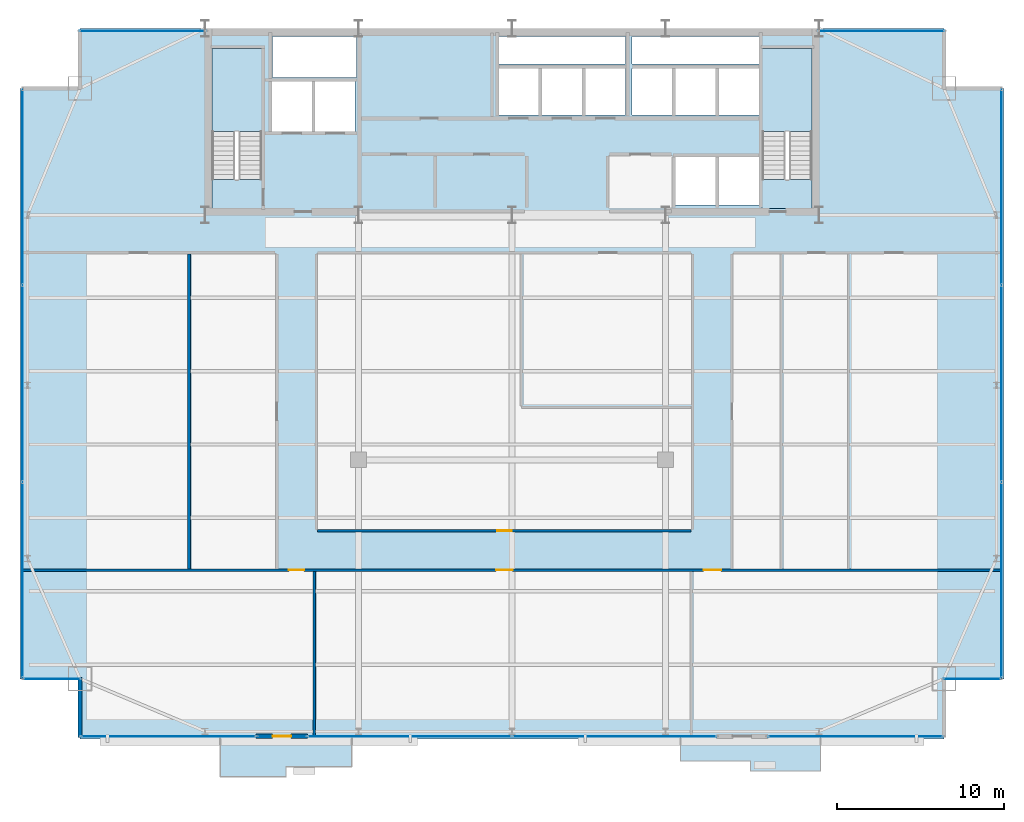
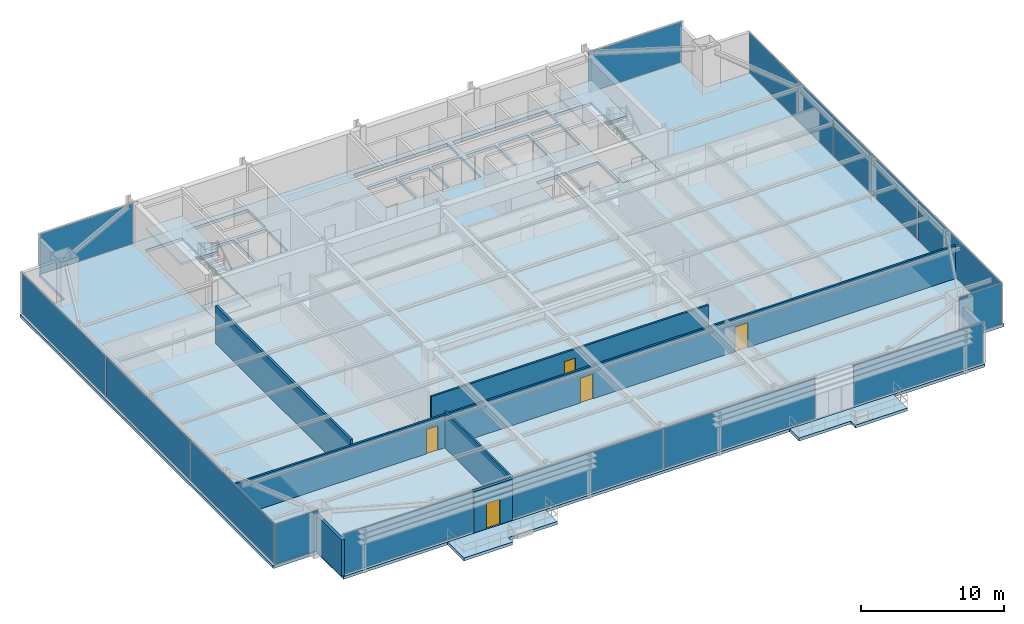
# One storey, part 27 of 32: 14 plates, 7 slabs, 6 walls, 5 doors, 5 openings, 11 elements without a shape of their own.
"""IFC4 building model written with IfcOpenShell, lengths in metres."""

from ifc_helpers import new_model, si_unit, direction, frame, frame_2d, origin, origin_2d, place, context, subcontext, project, spatial, polyline, rectangle, outline, extrude, source, transform, mapped, material, layer, layer_set, type_object, type_shapes, element, fill, aggregate, save


model = new_model("IFC4")

# Units and contexts
model_context = context("Model", 3, precision=1e-05, world=origin(), true_north=direction((0.0, 1.0)))
body_context = subcontext(model_context, "Body", "Model", "MODEL_VIEW")
ifc_project = project(units=[si_unit("LENGTHUNIT", "METRE"), si_unit("AREAUNIT", "SQUARE_METRE"), si_unit("VOLUMEUNIT", "CUBIC_METRE"), si_unit("PLANEANGLEUNIT", "RADIAN"), si_unit("MASSUNIT", "GRAM", prefix="KILO")], contexts=[model_context])

# Site, building, storey
site_placement = place(None, origin())
site = spatial("IfcSite", under=ifc_project, at=site_placement, CompositionType="ELEMENT")
building_placement = place(site_placement, origin())
building = spatial("IfcBuilding", under=site, at=building_placement, Name="Varnel Quay Broadcast Tower", CompositionType="ELEMENT")
storey_placement = place(building_placement, frame((0.0, 0.0, 133.39990234375)))
storey = spatial("IfcBuildingStorey", under=building, at=storey_placement, Name="L32", CompositionType="ELEMENT", Elevation=133.39990234375)

# Slabs
ifc_material_1 = material(Name="Concrete CSA A23.3 C40/50", Category="concrete")
ifc_layer_1 = layer(ifc_material_1, 0.25, Name="Concrete CSA A23.3 C40/50")
ifc_layer_set_1 = layer_set([ifc_layer_1], Name="Concrete CSA A23.3 C40/50")
slab_type_1 = type_object("IfcSlabType", Name="Slab_ExtTerrace250", PredefinedType="FLOOR", material=ifc_layer_set_1)
slab_1_placement = place(storey_placement, frame((0.0, 0.0, -0.25)))
element("IfcSlab", 1, at=slab_1_placement, inside=storey, type_object=slab_type_1, Name="L32 Planted Lobe Terrace Slab 1", PredefinedType="FLOOR", context=body_context, shape_type="SweptSolid", body=[
    extrude(outline(polyline([(16.5, 1.93310546875), (20.449951171875, 1.93310546875), (20.449951171875, 2.532958984375), (24.39990234375, 2.532958984375), (24.39990234375, 4.199951171875), (16.5, 4.199951171875), (16.5, 1.93310546875)])), origin(), (0.0, 0.0, 1.0), 0.25),
])
slab_2_placement = place(storey_placement, frame((0.0, 0.0, -0.25)))
element("IfcSlab", 2, at=slab_2_placement, inside=storey, type_object=slab_type_1, Name="L32 Planted Lobe Terrace Slab 2", PredefinedType="FLOOR", context=body_context, shape_type="SweptSolid", body=[
    extrude(outline(polyline([(44.10009765625, 2.866943359375), (48.300048828125, 2.866943359375), (48.300048828125, 2.26708984375), (52.5, 2.26708984375), (52.5, 4.199951171875), (44.10009765625, 4.199951171875), (44.10009765625, 2.866943359375)])), origin(), (0.0, 0.0, 1.0), 0.25),
])
ifc_material_2 = material(Name="Concrete CSA A23.3 C50/60", Category="concrete")
ifc_layer_2 = layer(ifc_material_2, 0.25, Name="Concrete CSA A23.3 C50/60")
ifc_layer_set_2 = layer_set([ifc_layer_2], Name="Concrete CSA A23.3 C50/60")
slab_type_2 = type_object("IfcSlabType", Name="Slab_Floor250", PredefinedType="FLOOR", material=ifc_layer_set_2)
slab_3_placement = place(storey_placement, frame((0.0, 0.0, -0.25)))
element("IfcSlab", 3, at=slab_3_placement, inside=storey, type_object=slab_type_2, Name="L32 Structural Slab", PredefinedType="FLOOR", context=body_context, shape_type="SweptSolid", body=[
    extrude(outline(polyline([(8.10009765625, 4.199951171875), (59.89990234375, 4.199951171875), (59.89990234375, 7.800048828125), (63.5, 7.800048828125), (63.5, 43.199951171875), (59.89990234375, 43.199951171875), (59.89990234375, 46.800048828125), (8.10009765625, 46.800048828125), (8.10009765625, 43.199951171875), (4.5, 43.199951171875), (4.5, 7.800048828125), (8.10009765625, 7.800048828125), (8.10009765625, 4.199951171875)]), holes=[polyline([(19.0, 36.0), (16.0, 36.0), (16.0, 45.60009765625), (19.0, 45.60009765625), (19.0, 36.0)]), polyline([(19.60009765625, 43.60009765625), (22.0, 43.60009765625), (22.0, 40.60009765625), (19.60009765625, 40.60009765625), (19.60009765625, 43.60009765625)]), polyline([(22.199951171875, 43.60009765625), (24.60009765625, 43.60009765625), (24.60009765625, 40.60009765625), (22.199951171875, 40.60009765625), (22.199951171875, 43.60009765625)]), polyline([(33.199951171875, 44.39990234375), (35.60009765625, 44.39990234375), (35.60009765625, 41.60009765625), (33.199951171875, 41.60009765625), (33.199951171875, 44.39990234375)]), polyline([(35.800048828125, 44.39990234375), (38.199951171875, 44.39990234375), (38.199951171875, 41.60009765625), (35.800048828125, 41.60009765625), (35.800048828125, 44.39990234375)]), polyline([(38.39990234375, 44.39990234375), (40.800048828125, 44.39990234375), (40.800048828125, 41.60009765625), (38.39990234375, 41.60009765625), (38.39990234375, 44.39990234375)]), polyline([(19.64990234375, 46.300048828125), (24.679931640625, 46.300048828125), (24.679931640625, 43.85009765625), (19.64990234375, 43.85009765625), (19.64990234375, 46.300048828125)]), polyline([(33.199951171875, 46.300048828125), (40.800048828125, 46.300048828125), (40.800048828125, 44.64990234375), (33.199951171875, 44.64990234375), (33.199951171875, 46.300048828125)]), polyline([(43.800048828125, 39.10009765625), (46.199951171875, 39.10009765625), (46.199951171875, 36.199951171875), (43.800048828125, 36.199951171875), (43.800048828125, 39.10009765625)]), polyline([(46.39990234375, 39.10009765625), (48.800048828125, 39.10009765625), (48.800048828125, 36.199951171875), (46.39990234375, 36.199951171875), (46.39990234375, 39.10009765625)]), polyline([(49.0, 36.0), (49.0, 45.60009765625), (52.0, 45.60009765625), (52.0, 36.0), (49.0, 36.0)]), polyline([(41.199951171875, 44.39990234375), (43.60009765625, 44.39990234375), (43.60009765625, 41.60009765625), (41.199951171875, 41.60009765625), (41.199951171875, 44.39990234375)]), polyline([(43.800048828125, 44.39990234375), (46.199951171875, 44.39990234375), (46.199951171875, 41.60009765625), (43.800048828125, 41.60009765625), (43.800048828125, 44.39990234375)]), polyline([(46.39990234375, 44.39990234375), (48.800048828125, 44.39990234375), (48.800048828125, 41.60009765625), (46.39990234375, 41.60009765625), (46.39990234375, 44.39990234375)]), polyline([(41.199951171875, 46.300048828125), (48.800048828125, 46.300048828125), (48.800048828125, 44.64990234375), (41.199951171875, 44.64990234375), (41.199951171875, 46.300048828125)])]), origin(), (0.0, 0.0, 1.0), 0.25),
])
ifc_layer_3 = layer(ifc_material_2, 0.25, Name="Concrete CSA A23.3 C50/60")
ifc_layer_set_3 = layer_set([ifc_layer_3], Name="Concrete CSA A23.3 C50/60")
slab_type_3 = type_object("IfcSlabType", Name="Slab_StairFloorLanding250", PredefinedType="FLOOR", material=ifc_layer_set_3)
slab_4_placement = place(storey_placement, frame((0.0, 0.0, -0.25)))
element("IfcSlab", 4, at=slab_4_placement, inside=storey, type_object=slab_type_3, Name="L32 ST-01 Structural Floor Landing Slab", PredefinedType="FLOOR", context=body_context, shape_type="SweptSolid", body=[
    extrude(outline(polyline([(19.0, 36.0), (19.0, 37.75), (16.0, 37.75), (16.0, 36.0), (19.0, 36.0)])), origin(), (0.0, 0.0, 1.0), 0.25),
])
slab_5_placement = place(storey_placement, frame((0.0, 0.0, -0.25)))
element("IfcSlab", 5, at=slab_5_placement, inside=storey, type_object=slab_type_3, Name="L32 ST-02 Structural Floor Landing Slab", PredefinedType="FLOOR", context=body_context, shape_type="SweptSolid", body=[
    extrude(outline(polyline([(52.0, 36.0), (52.0, 37.75), (49.0, 37.75), (49.0, 36.0), (52.0, 36.0)])), origin(), (0.0, 0.0, 1.0), 0.25),
])

# Stair, slab
ifc_material_3 = material(Name="Precast Structural Concrete C40/50", Category="concrete")
stair_type_1 = type_object("IfcStairType", Name="Stair_ST-01", PredefinedType="HALF_TURN_STAIR", material=ifc_material_3)
stair_1_placement = place(storey_placement, origin())
stair_1 = element("IfcStair", 6, at=stair_1_placement, inside=storey, type_object=stair_type_1, Name="L32 West Core Exit Stair 1", PredefinedType="HALF_TURN_STAIR")
ifc_layer_4 = layer(ifc_material_3, 0.199951171875, Name="Precast Structural Concrete C40/50")
ifc_layer_set_4 = layer_set([ifc_layer_4], Name="Precast Structural Concrete C40/50")
slab_type_4 = type_object("IfcSlabType", Name="Slab_StairLanding200", PredefinedType="LANDING", material=ifc_layer_set_4)
slab_6_placement = place(storey_placement, frame((0.0, 0.0, 1.7001953125)))
slab_6 = element("IfcSlab", 7, at=slab_6_placement, type_object=slab_type_4, Name="ST-01 landing 1", PredefinedType="LANDING", context=body_context, shape_type="SweptSolid", body=[
    extrude(outline(polyline([(19.0, 40.60009765625), (19.0, 45.60009765625), (16.0, 45.60009765625), (16.0, 40.60009765625), (19.0, 40.60009765625)])), origin(), (0.0, 0.0, 1.0), 0.199951171875),
])
aggregate(stair_1, [slab_6])

stair_type_2 = type_object("IfcStairType", Name="Stair_ST-02", PredefinedType="HALF_TURN_STAIR", material=ifc_material_3)
stair_2_placement = place(storey_placement, origin())
stair_2 = element("IfcStair", 8, at=stair_2_placement, inside=storey, type_object=stair_type_2, Name="L32 East Core Exit Stair 2", PredefinedType="HALF_TURN_STAIR")
slab_7_placement = place(storey_placement, frame((0.0, 0.0, 1.7001953125)))
slab_7 = element("IfcSlab", 9, at=slab_7_placement, type_object=slab_type_4, Name="ST-02 landing 1", PredefinedType="LANDING", context=body_context, shape_type="SweptSolid", body=[
    extrude(outline(polyline([(52.0, 40.60009765625), (52.0, 45.60009765625), (49.0, 45.60009765625), (49.0, 40.60009765625), (52.0, 40.60009765625)])), origin(), (0.0, 0.0, 1.0), 0.199951171875),
])
aggregate(stair_2, [slab_7])

# Curtain wall, plates
ifc_material_4 = material(Name="Anodised Bronze Aluminium 6063-T6", Category="aluminium")
ifc_layer_5 = layer(ifc_material_4, 0.18994140625, Name="Anodised Bronze Aluminium 6063-T6")
ifc_layer_set_5 = layer_set([ifc_layer_5], Name="Anodised Bronze Aluminium 6063-T6")
curtain_wall_type_1 = type_object("IfcCurtainWallType", Name="CW_LowerTower", PredefinedType="NOTDEFINED", material=ifc_layer_set_5)
curtain_wall_1_placement = place(storey_placement, origin())
curtain_wall_1 = element("IfcCurtainWall", 10, at=curtain_wall_1_placement, inside=storey, type_object=curtain_wall_type_1, Name="L32 West Unitised Curtain Wall", PredefinedType="NOTDEFINED")
ifc_material_5 = material(Name="Insulated Bronze Spandrel Glass", Category="glass")
ifc_layer_6 = layer(ifc_material_5, 0.031982421875, Name="Insulated Bronze Spandrel Glass")
ifc_layer_set_6 = layer_set([ifc_layer_6], Name="Insulated Bronze Spandrel Glass")
plate_type_1 = type_object("IfcPlateType", Name="PanelSp_CWS-02", PredefinedType="CURTAIN_PANEL", material=ifc_layer_set_6)
shared_shape_1 = source(origin(), body_context, "Body", "SweptSolid", [
    extrude(rectangle(XDim=11.695068359375, YDim=0.031982421875, at=origin_2d()), origin(), (0.0, 0.0, 1.0), 3.429931640625),
])
plate_1_placement = place(storey_placement, frame((4.64990234375, 13.717529296875, 0.06005859375), z_axis=(0.0, 0.0, 1.0), x_axis=(0.0, 1.0, 0.0)))
plate_1 = element("IfcPlate", 11, at=plate_1_placement, type_object=plate_type_1, Name="CWS-02 panel 1.1", PredefinedType="CURTAIN_PANEL", context=body_context, shape_type="MappedRepresentation", body=[
    mapped(shared_shape_1, transform((0.0, 0.0, 0.0), x_axis=(1.0, 0.0, 0.0), y_axis=(0.0, 1.0, 0.0), z_axis=(0.0, 0.0, 1.0), scale=1.0)),
])
plate_2_placement = place(storey_placement, frame((4.64990234375, 37.282470703125, 0.06005859375), z_axis=(0.0, 0.0, 1.0), x_axis=(0.0, 1.0, 0.0)))
plate_2 = element("IfcPlate", 12, at=plate_2_placement, type_object=plate_type_1, Name="CWS-02 panel 3.1", PredefinedType="CURTAIN_PANEL", context=body_context, shape_type="MappedRepresentation", body=[
    mapped(shared_shape_1, transform((0.0, 0.0, 0.0), x_axis=(1.0, 0.0, 0.0), y_axis=(0.0, 1.0, 0.0), z_axis=(0.0, 0.0, 1.0), scale=1.0)),
])

curtain_wall_2_placement = place(storey_placement, origin())
curtain_wall_2 = element("IfcCurtainWall", 13, at=curtain_wall_2_placement, inside=storey, type_object=curtain_wall_type_1, Name="L32 East Unitised Curtain Wall", PredefinedType="NOTDEFINED")
plate_3_placement = place(storey_placement, frame((63.35009765625, 13.717529296875, 0.06005859375), z_axis=(0.0, 0.0, 1.0), x_axis=(0.0, 1.0, 0.0)))
plate_3 = element("IfcPlate", 14, at=plate_3_placement, type_object=plate_type_1, Name="CWS-02 panel 1.1", PredefinedType="CURTAIN_PANEL", context=body_context, shape_type="MappedRepresentation", body=[
    mapped(shared_shape_1, transform((0.0, 0.0, 0.0), x_axis=(1.0, 0.0, 0.0), y_axis=(0.0, 1.0, 0.0), z_axis=(0.0, 0.0, 1.0), scale=1.0)),
])
plate_4_placement = place(storey_placement, frame((63.35009765625, 37.282470703125, 0.06005859375), z_axis=(0.0, 0.0, 1.0), x_axis=(0.0, 1.0, 0.0)))
plate_4 = element("IfcPlate", 15, at=plate_4_placement, type_object=plate_type_1, Name="CWS-02 panel 3.1", PredefinedType="CURTAIN_PANEL", context=body_context, shape_type="MappedRepresentation", body=[
    mapped(shared_shape_1, transform((0.0, 0.0, 0.0), x_axis=(1.0, 0.0, 0.0), y_axis=(0.0, 1.0, 0.0), z_axis=(0.0, 0.0, 1.0), scale=1.0)),
])

# Plate
shared_shape_2 = source(origin(), body_context, "Body", "SweptSolid", [
    extrude(rectangle(XDim=11.72998046875, YDim=0.031982421875, at=origin_2d()), origin(), (0.0, 0.0, 1.0), 3.429931640625),
])
plate_5_placement = place(storey_placement, frame((4.64990234375, 25.5, 0.06005859375), z_axis=(0.0, 0.0, 1.0), x_axis=(0.0, 1.0, 0.0)))
plate_5 = element("IfcPlate", 16, at=plate_5_placement, type_object=plate_type_1, Name="CWS-02 panel 2.1", PredefinedType="CURTAIN_PANEL", context=body_context, shape_type="MappedRepresentation", body=[
    mapped(shared_shape_2, transform((0.0, 0.0, 0.0), x_axis=(1.0, 0.0, 0.0), y_axis=(0.0, 1.0, 0.0), z_axis=(0.0, 0.0, 1.0), scale=1.0)),
])

aggregate(curtain_wall_1, [plate_1, plate_5, plate_2])

plate_6_placement = place(storey_placement, frame((63.35009765625, 25.5, 0.06005859375), z_axis=(0.0, 0.0, 1.0), x_axis=(0.0, 1.0, 0.0)))
plate_6 = element("IfcPlate", 17, at=plate_6_placement, type_object=plate_type_1, Name="CWS-02 panel 2.1", PredefinedType="CURTAIN_PANEL", context=body_context, shape_type="MappedRepresentation", body=[
    mapped(shared_shape_2, transform((0.0, 0.0, 0.0), x_axis=(1.0, 0.0, 0.0), y_axis=(0.0, 1.0, 0.0), z_axis=(0.0, 0.0, 1.0), scale=1.0)),
])

aggregate(curtain_wall_2, [plate_3, plate_6, plate_4])

# Curtain wall, plate
ifc_layer_7 = layer(ifc_material_4, 0.18994140625, Name="Anodised Bronze Aluminium 6063-T6")
ifc_layer_set_7 = layer_set([ifc_layer_7], Name="Anodised Bronze Aluminium 6063-T6")
curtain_wall_type_2 = type_object("IfcCurtainWallType", Name="CW_NotchCorner", PredefinedType="NOTDEFINED", material=ifc_layer_set_7)
curtain_wall_3_placement = place(storey_placement, origin())
curtain_wall_3 = element("IfcCurtainWall", 18, at=curtain_wall_3_placement, inside=storey, type_object=curtain_wall_type_2, Name="L32 SW Notch Curtain Wall", PredefinedType="NOTDEFINED")
ifc_material_6 = material(Name="Triple-Glazed Bronze Low-E Architectural Glass", Category="glass")
ifc_layer_8 = layer(ifc_material_6, 0.028076171875, Name="Triple-Glazed Bronze Low-E Architectural Glass")
ifc_layer_set_8 = layer_set([ifc_layer_8], Name="Triple-Glazed Bronze Low-E Architectural Glass")
plate_type_2 = type_object("IfcPlateType", Name="Panel_CWS-04", PredefinedType="CURTAIN_PANEL", material=ifc_layer_set_8)
shared_shape_3 = source(origin(), body_context, "Body", "SweptSolid", [
    extrude(rectangle(XDim=3.409912109375, YDim=0.028076171875, at=origin_2d()), origin(), (0.0, 0.0, 1.0), 3.43994140625),
])
type_shapes(plate_type_2, [shared_shape_3])
plate_7_placement = place(storey_placement, frame((6.4150390625, 7.800048828125, 0.05517578125), z_axis=(0.0, 0.0, 1.0), x_axis=(1.0, 0.0, 0.0)))
plate_7 = element("IfcPlate", 19, at=plate_7_placement, type_object=plate_type_2, Name="CWS-04 panel 1.1", PredefinedType="CURTAIN_PANEL", context=body_context, shape_type="MappedRepresentation", body=[
    mapped(shared_shape_3, transform((0.0, 0.0, 0.0), x_axis=(1.0, 0.0, 0.0), y_axis=(0.0, 1.0, 0.0), z_axis=(0.0, 0.0, 1.0), scale=1.0)),
])
aggregate(curtain_wall_3, [plate_7])

curtain_wall_4_placement = place(storey_placement, origin())
curtain_wall_4 = element("IfcCurtainWall", 20, at=curtain_wall_4_placement, inside=storey, type_object=curtain_wall_type_2, Name="L32 SE Notch Curtain Wall", PredefinedType="NOTDEFINED")
plate_8_placement = place(storey_placement, frame((61.5849609375, 7.800048828125, 0.05517578125), z_axis=(0.0, 0.0, 1.0), x_axis=(1.0, 0.0, 0.0)))
plate_8 = element("IfcPlate", 21, at=plate_8_placement, type_object=plate_type_2, Name="CWS-04 panel 1.1", PredefinedType="CURTAIN_PANEL", context=body_context, shape_type="MappedRepresentation", body=[
    mapped(shared_shape_3, transform((0.0, 0.0, 0.0), x_axis=(1.0, 0.0, 0.0), y_axis=(0.0, 1.0, 0.0), z_axis=(0.0, 0.0, 1.0), scale=1.0)),
])
aggregate(curtain_wall_4, [plate_8])

curtain_wall_5_placement = place(storey_placement, origin())
curtain_wall_5 = element("IfcCurtainWall", 22, at=curtain_wall_5_placement, inside=storey, type_object=curtain_wall_type_1, Name="L32 NW Wing Curtain Wall", PredefinedType="NOTDEFINED")
ifc_layer_9 = layer(ifc_material_6, 0.031982421875, Name="Triple-Glazed Bronze Low-E Architectural Glass")
ifc_layer_set_9 = layer_set([ifc_layer_9], Name="Triple-Glazed Bronze Low-E Architectural Glass")
plate_type_3 = type_object("IfcPlateType", Name="Panel_CWS-02", PredefinedType="CURTAIN_PANEL", material=ifc_layer_set_9)
shared_shape_4 = source(origin(), body_context, "Body", "SweptSolid", [
    extrude(rectangle(XDim=7.5400390625, YDim=0.031982421875, at=origin_2d()), origin(), (0.0, 0.0, 1.0), 3.429931640625),
])
plate_9_placement = place(storey_placement, frame((11.860107421875, 46.64990234375, 0.06005859375), z_axis=(0.0, 0.0, 1.0), x_axis=(1.0, 0.0, 0.0)))
plate_9 = element("IfcPlate", 23, at=plate_9_placement, type_object=plate_type_3, Name="CWS-02 panel 1.1", PredefinedType="CURTAIN_PANEL", context=body_context, shape_type="MappedRepresentation", body=[
    mapped(shared_shape_4, transform((0.0, 0.0, 0.0), x_axis=(1.0, 0.0, 0.0), y_axis=(0.0, 1.0, 0.0), z_axis=(0.0, 0.0, 1.0), scale=1.0)),
])
aggregate(curtain_wall_5, [plate_9])

curtain_wall_6_placement = place(storey_placement, origin())
curtain_wall_6 = element("IfcCurtainWall", 24, at=curtain_wall_6_placement, inside=storey, type_object=curtain_wall_type_1, Name="L32 NE Wing Curtain Wall", PredefinedType="NOTDEFINED")
plate_10_placement = place(storey_placement, frame((56.139892578125, 46.64990234375, 0.06005859375), z_axis=(0.0, 0.0, 1.0), x_axis=(1.0, 0.0, 0.0)))
plate_10 = element("IfcPlate", 25, at=plate_10_placement, type_object=plate_type_3, Name="CWS-02 panel 1.1", PredefinedType="CURTAIN_PANEL", context=body_context, shape_type="MappedRepresentation", body=[
    mapped(shared_shape_4, transform((0.0, 0.0, 0.0), x_axis=(1.0, 0.0, 0.0), y_axis=(0.0, 1.0, 0.0), z_axis=(0.0, 0.0, 1.0), scale=1.0)),
])
aggregate(curtain_wall_6, [plate_10])

curtain_wall_7_placement = place(storey_placement, origin())
curtain_wall_7 = element("IfcCurtainWall", 26, at=curtain_wall_7_placement, inside=storey, type_object=curtain_wall_type_1, Name="L32 South Unitised Curtain Wall 1", PredefinedType="NOTDEFINED")
shared_shape_5 = source(origin(), body_context, "Body", "SweptSolid", [
    extrude(rectangle(XDim=10.47998046875, YDim=0.031982421875, at=origin_2d()), origin(), (0.0, 0.0, 1.0), 3.429931640625),
])
type_shapes(plate_type_3, [shared_shape_4, shared_shape_5])
plate_11_placement = place(storey_placement, frame((13.409912109375, 4.35009765625, 0.06005859375), z_axis=(0.0, 0.0, 1.0), x_axis=(1.0, 0.0, 0.0)))
plate_11 = element("IfcPlate", 27, at=plate_11_placement, type_object=plate_type_3, Name="CWS-02 panel 1.1", PredefinedType="CURTAIN_PANEL", context=body_context, shape_type="MappedRepresentation", body=[
    mapped(shared_shape_5, transform((0.0, 0.0, 0.0), x_axis=(1.0, 0.0, 0.0), y_axis=(0.0, 1.0, 0.0), z_axis=(0.0, 0.0, 1.0), scale=1.0)),
])
aggregate(curtain_wall_7, [plate_11])

curtain_wall_8_placement = place(storey_placement, origin())
curtain_wall_8 = element("IfcCurtainWall", 28, at=curtain_wall_8_placement, inside=storey, type_object=curtain_wall_type_1, Name="L32 South Unitised Curtain Wall 3", PredefinedType="NOTDEFINED")
plate_12_placement = place(storey_placement, frame((54.590087890625, 4.35009765625, 0.06005859375), z_axis=(0.0, 0.0, 1.0), x_axis=(1.0, 0.0, 0.0)))
plate_12 = element("IfcPlate", 29, at=plate_12_placement, type_object=plate_type_3, Name="CWS-02 panel 1.1", PredefinedType="CURTAIN_PANEL", context=body_context, shape_type="MappedRepresentation", body=[
    mapped(shared_shape_5, transform((0.0, 0.0, 0.0), x_axis=(1.0, 0.0, 0.0), y_axis=(0.0, 1.0, 0.0), z_axis=(0.0, 0.0, 1.0), scale=1.0)),
])
aggregate(curtain_wall_8, [plate_12])

# Curtain wall, plates
curtain_wall_9_placement = place(storey_placement, origin())
curtain_wall_9 = element("IfcCurtainWall", 30, at=curtain_wall_9_placement, inside=storey, type_object=curtain_wall_type_1, Name="L32 South Unitised Curtain Wall 2", PredefinedType="NOTDEFINED")
shared_shape_6 = source(origin(), body_context, "Body", "SweptSolid", [
    extrude(rectangle(XDim=12.215087890625, YDim=0.031982421875, at=origin_2d()), origin(), (0.0, 0.0, 1.0), 3.429931640625),
])
type_shapes(plate_type_1, [shared_shape_1, shared_shape_2, shared_shape_6])
plate_13_placement = place(storey_placement, frame((27.857421875, 4.35009765625, 0.06005859375), z_axis=(0.0, 0.0, 1.0), x_axis=(1.0, 0.0, 0.0)))
plate_13 = element("IfcPlate", 31, at=plate_13_placement, type_object=plate_type_1, Name="CWS-02 panel 1.1", PredefinedType="CURTAIN_PANEL", context=body_context, shape_type="MappedRepresentation", body=[
    mapped(shared_shape_6, transform((0.0, 0.0, 0.0), x_axis=(1.0, 0.0, 0.0), y_axis=(0.0, 1.0, 0.0), z_axis=(0.0, 0.0, 1.0), scale=1.0)),
])
plate_14_placement = place(storey_placement, frame((40.142578125, 4.35009765625, 0.06005859375), z_axis=(0.0, 0.0, 1.0), x_axis=(1.0, 0.0, 0.0)))
plate_14 = element("IfcPlate", 32, at=plate_14_placement, type_object=plate_type_1, Name="CWS-02 panel 2.1", PredefinedType="CURTAIN_PANEL", context=body_context, shape_type="MappedRepresentation", body=[
    mapped(shared_shape_6, transform((0.0, 0.0, 0.0), x_axis=(1.0, 0.0, 0.0), y_axis=(0.0, 1.0, 0.0), z_axis=(0.0, 0.0, 1.0), scale=1.0)),
])
aggregate(curtain_wall_9, [plate_13, plate_14])

# Wall, opening, door
ifc_material_7 = material(Name="Precast Architectural Concrete C40/50", Category="concrete")
ifc_layer_10 = layer(ifc_material_7, 0.25, Name="Precast Architectural Concrete C40/50")
ifc_layer_set_10 = layer_set([ifc_layer_10], Name="Precast Architectural Concrete C40/50")
wall_type_1 = type_object("IfcWallType", Name="Wall_ExtTerrace250", PredefinedType="SOLIDWALL", material=ifc_layer_set_10)
wall_1_placement = place(storey_placement, frame((18.64990234375, 4.35009765625, 0.0), z_axis=(0.0, 0.0, 1.0), x_axis=(1.0, 0.0, 0.0)))
wall_1 = element("IfcWall", 33, at=wall_1_placement, inside=storey, type_object=wall_type_1, Name="L32 Terrace Access Wall 1", PredefinedType="SOLIDWALL", context=body_context, shape_type="SweptSolid", body=[
    extrude(rectangle(XDim=3.10009765625, YDim=0.25, at=frame_2d((1.550048828125, 0.0))), origin(), (0.0, 0.0, 1.0), 3.530029296875),
])
opening_1_placement = place(wall_1_placement, frame((1.0, 0.0, 0.0)))
opening_1 = element("IfcOpeningElement", 34, at=opening_1_placement, cuts=wall_1, Name="Opening TD-321", PredefinedType="OPENING", context=body_context, shape_type="SweptSolid", body=[
    extrude(rectangle(XDim=1.10009765625, YDim=2.14990234375, at=frame_2d((0.550048828125, 1.074951171875))), frame((0.0, 0.135009765625, 0.0), z_axis=(0.0, -1.0, 0.0), x_axis=(1.0, 0.0, 0.0)), (0.0, 0.0, 1.0), 0.27001953125),
])
door_type_1 = type_object("IfcDoorType", Name="Door_ExtTerrace1100", OperationType="NOTDEFINED", PredefinedType="DOOR", material=ifc_material_4)
shared_shape_7 = source(origin(), body_context, "Body", "SweptSolid", [
    extrude(rectangle(XDim=1.10009765625, YDim=2.14990234375, at=frame_2d((0.550048828125, 1.074951171875))), frame((0.0, 0.02490234375, 0.0), z_axis=(0.0, -1.0, 0.0), x_axis=(1.0, 0.0, 0.0)), (0.0, 0.0, 1.0), 0.050048828125),
])
type_shapes(door_type_1, [shared_shape_7])
door_1_placement = place(opening_1_placement, frame((1.10009765625, 0.0, 0.0), z_axis=(0.0, 0.0, 1.0), x_axis=(-1.0, 0.0, 0.0)))
door_1 = element("IfcDoor", 35, at=door_1_placement, inside=storey, type_object=door_type_1, Name="L32 Terrace Door TD-321", OperationType="SINGLE_SWING_LEFT", OverallHeight=2.14990234375, OverallWidth=1.10009765625, PredefinedType="DOOR", context=body_context, shape_type="MappedRepresentation", body=[
    mapped(shared_shape_7, transform((0.0, 0.0, 0.0), x_axis=(1.0, 0.0, 0.0), y_axis=(0.0, 1.0, 0.0), z_axis=(0.0, 0.0, 1.0), scale=1.0)),
])
fill(opening_1, door_1)

# Walls
wall_2_placement = place(storey_placement, frame((8.10009765625, 4.280029296875, 0.0), z_axis=(0.0, 0.0, 1.0), x_axis=(0.0, 1.0, 0.0)))
element("IfcWall", 36, at=wall_2_placement, inside=storey, type_object=wall_type_1, Name="L32 Mega-Column Notch Cladding Wall NSW2", PredefinedType="SOLIDWALL", context=body_context, shape_type="SweptSolid", body=[
    extrude(rectangle(XDim=3.599853515625, YDim=0.25, at=frame_2d((1.7998046875, 0.0))), origin(), (0.0, 0.0, 1.0), 3.108154296875),
])
ifc_material_8 = material(Name="Steel-Stud Fire-Rated Acoustic Gypsum Partition Assembly", Category="steel")
ifc_layer_11 = layer(ifc_material_8, 0.14990234375, Name="Steel-Stud Fire-Rated Acoustic Gypsum Partition Assembly")
ifc_layer_set_11 = layer_set([ifc_layer_11], Name="Steel-Stud Fire-Rated Acoustic Gypsum Partition Assembly")
wall_type_2 = type_object("IfcWallType", Name="Wall_Partition150", PredefinedType="PARTITIONING", material=ifc_layer_set_11)
wall_3_placement = place(storey_placement, frame((22.14990234375, 4.3798828125, 0.0), z_axis=(0.0, 0.0, 1.0), x_axis=(0.0, 1.0, 0.0)))
element("IfcWall", 37, at=wall_3_placement, inside=storey, type_object=wall_type_2, Name="L32 Bureau Office 1 Partition 8", PredefinedType="PARTITIONING", context=body_context, shape_type="SweptSolid", body=[
    extrude(rectangle(XDim=9.865234375, YDim=0.14990234375, at=frame_2d((4.9326171875, 0.0))), origin(), (0.0, 0.0, 1.0), 3.108154296875),
])

# Wall, openings, doors
wall_4_placement = place(storey_placement, frame((4.679931640625, 14.320068359375, 0.0), z_axis=(0.0, 0.0, 1.0), x_axis=(1.0, 0.0, 0.0)))
wall_4 = element("IfcWall", 38, at=wall_4_placement, inside=storey, type_object=wall_type_2, Name="L32 Bureau Office 1 Partition 9", PredefinedType="PARTITIONING", context=body_context, shape_type="SweptSolid", body=[
    extrude(rectangle(XDim=58.64013671875, YDim=0.14990234375, at=frame_2d((29.320068359375, 0.0))), origin(), (0.0, 0.0, 1.0), 2.830078125),
])
opening_2_placement = place(wall_4_placement, frame((15.93505859375, 0.0, 0.0)))
opening_2 = element("IfcOpeningElement", 39, at=opening_2_placement, cuts=wall_4, Name="Opening D-L32-04", PredefinedType="OPENING", context=body_context, shape_type="SweptSolid", body=[
    extrude(rectangle(XDim=0.919921875, YDim=2.080078125, at=frame_2d((0.4599609375, 1.0400390625))), frame((0.0, 0.0849609375, 0.0), z_axis=(0.0, -1.0, 0.0), x_axis=(1.0, 0.0, 0.0)), (0.0, 0.0, 1.0), 0.169921875),
])
opening_3_placement = place(wall_4_placement, frame((28.364990234375, 0.0, 0.0)))
opening_3 = element("IfcOpeningElement", 40, at=opening_3_placement, cuts=wall_4, Name="Opening D-L32-05", PredefinedType="OPENING", context=body_context, shape_type="SweptSolid", body=[
    extrude(rectangle(XDim=1.0, YDim=2.10009765625, at=frame_2d((0.5, 1.050048828125))), frame((0.0, 0.0849609375, 0.0), z_axis=(0.0, -1.0, 0.0), x_axis=(1.0, 0.0, 0.0)), (0.0, 0.0, 1.0), 0.169921875),
])
opening_4_placement = place(wall_4_placement, frame((40.81005859375, 0.0, 0.0)))
opening_4 = element("IfcOpeningElement", 41, at=opening_4_placement, cuts=wall_4, Name="Opening D-L32-06", PredefinedType="OPENING", context=body_context, shape_type="SweptSolid", body=[
    extrude(rectangle(XDim=1.050048828125, YDim=2.10009765625, at=frame_2d((0.52490234375, 1.050048828125))), frame((0.0, 0.0849609375, 0.0), z_axis=(0.0, -1.0, 0.0), x_axis=(1.0, 0.0, 0.0)), (0.0, 0.0, 1.0), 0.169921875),
])
ifc_material_9 = material(Name="Solid-Core Fire-Rated Acoustic Oak Veneer Door", Category="wood")
door_type_2 = type_object("IfcDoorType", Name="Door_Office920", OperationType="NOTDEFINED", PredefinedType="DOOR", material=ifc_material_9)
shared_shape_8 = source(origin(), body_context, "Body", "SweptSolid", [
    extrude(rectangle(XDim=0.919921875, YDim=2.080078125, at=frame_2d((0.4599609375, 1.0400390625))), frame((0.0, 0.02490234375, 0.0), z_axis=(0.0, -1.0, 0.0), x_axis=(1.0, 0.0, 0.0)), (0.0, 0.0, 1.0), 0.050048828125),
])
type_shapes(door_type_2, [shared_shape_8])
door_2_placement = place(opening_2_placement, frame((0.919921875, 0.0, 0.0), z_axis=(0.0, 0.0, 1.0), x_axis=(-1.0, 0.0, 0.0)))
door_2 = element("IfcDoor", 42, at=door_2_placement, inside=storey, type_object=door_type_2, Name="L32 Bureau Office 1 Door D-L32-04", OperationType="SINGLE_SWING_RIGHT", OverallHeight=2.080078125, OverallWidth=0.919921875, PredefinedType="DOOR", context=body_context, shape_type="MappedRepresentation", body=[
    mapped(shared_shape_8, transform((0.0, 0.0, 0.0), x_axis=(1.0, 0.0, 0.0), y_axis=(0.0, 1.0, 0.0), z_axis=(0.0, 0.0, 1.0), scale=1.0)),
])
fill(opening_2, door_2)
door_type_3 = type_object("IfcDoorType", Name="Door_Exec1000", OperationType="NOTDEFINED", PredefinedType="DOOR", material=ifc_material_9)
shared_shape_9 = source(origin(), body_context, "Body", "SweptSolid", [
    extrude(rectangle(XDim=1.0, YDim=2.10009765625, at=frame_2d((0.5, 1.050048828125))), frame((0.0, 0.02490234375, 0.0), z_axis=(0.0, -1.0, 0.0), x_axis=(1.0, 0.0, 0.0)), (0.0, 0.0, 1.0), 0.050048828125),
])
type_shapes(door_type_3, [shared_shape_9])
door_3_placement = place(opening_3_placement, frame((1.0, 0.0, 0.0), z_axis=(0.0, 0.0, 1.0), x_axis=(-1.0, 0.0, 0.0)))
door_3 = element("IfcDoor", 43, at=door_3_placement, inside=storey, type_object=door_type_3, Name="L32 Reading Lounge 2 Door D-L32-05", OperationType="SINGLE_SWING_LEFT", OverallHeight=2.10009765625, OverallWidth=1.0, PredefinedType="DOOR", context=body_context, shape_type="MappedRepresentation", body=[
    mapped(shared_shape_9, transform((0.0, 0.0, 0.0), x_axis=(1.0, 0.0, 0.0), y_axis=(0.0, 1.0, 0.0), z_axis=(0.0, 0.0, 1.0), scale=1.0)),
])
fill(opening_3, door_3)
door_type_4 = type_object("IfcDoorType", Name="Door_Meeting1050", OperationType="NOTDEFINED", PredefinedType="DOOR", material=ifc_material_9)
shared_shape_10 = source(origin(), body_context, "Body", "SweptSolid", [
    extrude(rectangle(XDim=1.050048828125, YDim=2.10009765625, at=frame_2d((0.52490234375, 1.050048828125))), frame((0.0, 0.02490234375, 0.0), z_axis=(0.0, -1.0, 0.0), x_axis=(1.0, 0.0, 0.0)), (0.0, 0.0, 1.0), 0.050048828125),
])
type_shapes(door_type_4, [shared_shape_10])
door_4_placement = place(opening_4_placement, frame((1.050048828125, 0.0, 0.0), z_axis=(0.0, 0.0, 1.0), x_axis=(-1.0, 0.0, 0.0)))
door_4 = element("IfcDoor", 44, at=door_4_placement, inside=storey, type_object=door_type_4, Name="L32 Broadcast Seminar Room 3 Door D-L32-06", OperationType="SINGLE_SWING_RIGHT", OverallHeight=2.10009765625, OverallWidth=1.050048828125, PredefinedType="DOOR", context=body_context, shape_type="MappedRepresentation", body=[
    mapped(shared_shape_10, transform((0.0, 0.0, 0.0), x_axis=(1.0, 0.0, 0.0), y_axis=(0.0, 1.0, 0.0), z_axis=(0.0, 0.0, 1.0), scale=1.0)),
])
fill(opening_4, door_4)

# Wall, opening, door
wall_5_placement = place(storey_placement, frame((22.35009765625, 16.669921875, 0.0), z_axis=(0.0, 0.0, 1.0), x_axis=(1.0, 0.0, 0.0)))
wall_5 = element("IfcWall", 45, at=wall_5_placement, inside=storey, type_object=wall_type_2, Name="L32 Catering Kitchen 6 Partition 14", PredefinedType="PARTITIONING", context=body_context, shape_type="SweptSolid", body=[
    extrude(rectangle(XDim=22.389892578125, YDim=0.14990234375, at=frame_2d((11.19482421875, 0.0))), origin(), (0.0, 0.0, 1.0), 2.830078125),
])
opening_5_placement = place(wall_5_placement, frame((10.7548828125, 0.0, 0.0)))
opening_5 = element("IfcOpeningElement", 46, at=opening_5_placement, cuts=wall_5, Name="Opening D-L32-09", PredefinedType="OPENING", context=body_context, shape_type="SweptSolid", body=[
    extrude(rectangle(XDim=0.8798828125, YDim=2.06005859375, at=frame_2d((0.43994140625, 1.030029296875))), frame((0.0, 0.0849609375, 0.0), z_axis=(0.0, -1.0, 0.0), x_axis=(1.0, 0.0, 0.0)), (0.0, 0.0, 1.0), 0.169921875),
])
door_type_5 = type_object("IfcDoorType", Name="Door_Booth880", OperationType="NOTDEFINED", PredefinedType="DOOR", material=ifc_material_9)
shared_shape_11 = source(origin(), body_context, "Body", "SweptSolid", [
    extrude(rectangle(XDim=0.8798828125, YDim=2.06005859375, at=frame_2d((0.43994140625, 1.030029296875))), frame((0.0, 0.02490234375, 0.0), z_axis=(0.0, -1.0, 0.0), x_axis=(1.0, 0.0, 0.0)), (0.0, 0.0, 1.0), 0.050048828125),
])
type_shapes(door_type_5, [shared_shape_11])
door_5_placement = place(opening_5_placement, origin())
door_5 = element("IfcDoor", 47, at=door_5_placement, inside=storey, type_object=door_type_5, Name="L32 Catering Kitchen 6 Door D-L32-09", OperationType="SINGLE_SWING_LEFT", OverallHeight=2.06005859375, OverallWidth=0.8798828125, PredefinedType="DOOR", context=body_context, shape_type="MappedRepresentation", body=[
    mapped(shared_shape_11, transform((0.0, 0.0, 0.0), x_axis=(1.0, 0.0, 0.0), y_axis=(0.0, 1.0, 0.0), z_axis=(0.0, 0.0, 1.0), scale=1.0)),
])
fill(opening_5, door_5)

# Wall
ifc_layer_12 = layer(ifc_material_8, 0.175048828125, Name="Steel-Stud Fire-Rated Acoustic Gypsum Partition Assembly")
ifc_layer_set_12 = layer_set([ifc_layer_12], Name="Steel-Stud Fire-Rated Acoustic Gypsum Partition Assembly")
wall_type_3 = type_object("IfcWallType", Name="Wall_Partition175", PredefinedType="PARTITIONING", material=ifc_layer_set_12)
wall_6_placement = place(storey_placement, frame((14.639892578125, 14.39501953125, 0.0), z_axis=(0.0, 0.0, 1.0), x_axis=(0.0, 1.0, 0.0)))
element("IfcWall", 48, at=wall_6_placement, inside=storey, type_object=wall_type_3, Name="L32 Press Briefing Room 4 Partition 11", PredefinedType="PARTITIONING", context=body_context, shape_type="SweptSolid", body=[
    extrude(rectangle(XDim=18.867919921875, YDim=0.175048828125, at=frame_2d((9.43408203125, 0.0))), origin(), (0.0, 0.0, 1.0), 3.22216796875),
])

save(model, "model.ifc")
